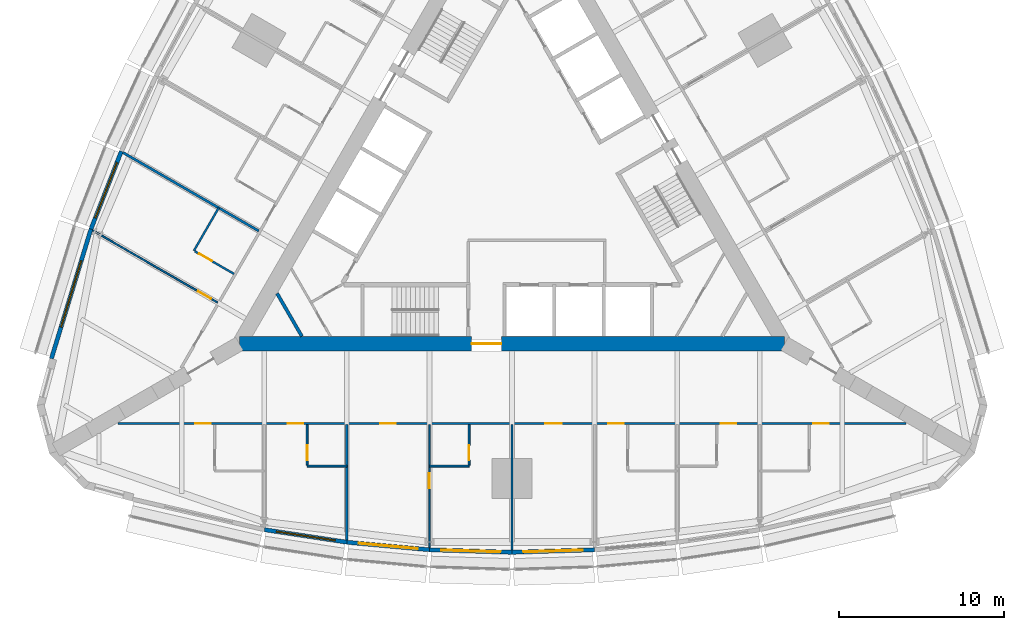
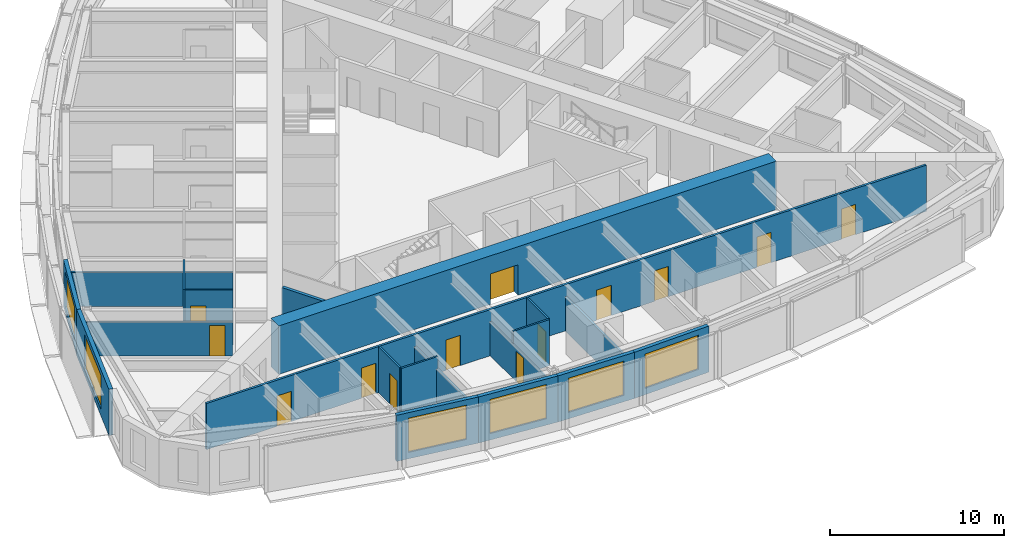
# One storey, part 8 of 14: 20 walls, 13 doors, 6 windows, 19 openings.
"""IFC4 building model written with IfcOpenShell, lengths in metres."""

from ifc_helpers import new_model, si_unit, direction, frame, frame_2d, origin, place, context, subcontext, project, spatial, rectangle, extrude, material, layer, layer_set, type_object, element, fill, save


model = new_model("IFC4")

# Units and contexts
model_context = context("Model", 3, precision=1e-05, world=origin(), true_north=direction((0.0, 1.0)))
body_context = subcontext(model_context, "Body", "Model", "MODEL_VIEW")
ifc_project = project(units=[si_unit("LENGTHUNIT", "METRE"), si_unit("AREAUNIT", "SQUARE_METRE"), si_unit("VOLUMEUNIT", "CUBIC_METRE"), si_unit("PLANEANGLEUNIT", "RADIAN"), si_unit("MASSUNIT", "GRAM", prefix="KILO")], contexts=[model_context])

# Site, building, storey
site_placement = place(None, origin())
site = spatial("IfcSite", under=ifc_project, at=site_placement, CompositionType="ELEMENT")
building_placement = place(site_placement, origin())
building = spatial("IfcBuilding", under=site, at=building_placement, Name="Trikona Tower", CompositionType="ELEMENT")
storey_placement = place(building_placement, frame((0.0, 0.0, 76.10009765625)))
storey = spatial("IfcBuildingStorey", under=building, at=storey_placement, Name="L19", CompositionType="ELEMENT", Elevation=76.10009765625)

# Wall
ifc_material_1 = material(Name="Metal stud and cement board", Category="gypsum")
ifc_layer_1 = layer(ifc_material_1, 0.1201171875)
ifc_layer_set_1 = layer_set([ifc_layer_1], Name="Bathroom wall 120")
wall_type_1 = type_object("IfcWallType", Name="Bathroom wall 120", PredefinedType="PLUMBINGWALL", material=ifc_layer_set_1)
wall_1_placement = place(storey_placement, frame((-12.39990234375, -16.92626953125, 0.0), z_axis=(0.0, 0.0, 1.0), x_axis=(1.0, 0.0, 0.0)))
element("IfcWall", 1, at=wall_1_placement, inside=storey, type_object=wall_type_1, Name="Bathroom wall 1902", PredefinedType="PLUMBINGWALL", context=body_context, shape_type="SweptSolid", body=[
    extrude(rectangle(XDim=2.39990234375, YDim=0.1201171875, at=frame_2d((1.199951171875, 0.0))), origin(), (0.0, 0.0, 1.0), 3.23486328125),
])

# Wall, opening, door
wall_2_placement = place(storey_placement, frame((-12.39990234375, -14.42626953125, 0.0), z_axis=(0.0, 0.0, 1.0), x_axis=(0.0, -1.0, 0.0)))
wall_2 = element("IfcWall", 2, at=wall_2_placement, inside=storey, type_object=wall_type_1, Name="Bathroom wall 1902", PredefinedType="PLUMBINGWALL", context=body_context, shape_type="SweptSolid", body=[
    extrude(rectangle(XDim=2.43994140625, YDim=0.1201171875, at=frame_2d((1.219970703125, 0.0))), origin(), (0.0, 0.0, 1.0), 3.23486328125),
])
opening_1_placement = place(wall_2_placement, frame((1.25, 0.0, 0.0)))
opening_1 = element("IfcOpeningElement", 3, at=opening_1_placement, cuts=wall_2, Name="Opening D2", PredefinedType="OPENING", context=body_context, shape_type="SweptSolid", body=[
    extrude(rectangle(XDim=0.89990234375, YDim=2.1298828125, at=frame_2d((0.449951171875, 1.06494140625))), frame((0.0, 0.070068359375, 0.0), z_axis=(0.0, -1.0, 0.0), x_axis=(1.0, 0.0, 0.0)), (0.0, 0.0, 1.0), 0.14013671875),
])
ifc_material_2 = material(Name="Steel door frame with solid-core timber leaf", Category="steel")
door_type_1 = type_object("IfcDoorType", Name="Bathroom door 900x2130", OperationType="SLIDING_TO_LEFT", PredefinedType="DOOR", material=ifc_material_2)
door_1_placement = place(opening_1_placement, origin())
door_1 = element("IfcDoor", 4, at=door_1_placement, inside=storey, type_object=door_type_1, Name="Bathroom door 1902", OperationType="SLIDING_TO_LEFT", OverallHeight=2.1298828125, OverallWidth=0.89990234375, PredefinedType="DOOR", context=body_context, shape_type="SweptSolid", body=[
    extrude(rectangle(XDim=0.89990234375, YDim=2.1298828125, at=frame_2d((0.449951171875, 1.06494140625))), frame((0.0, 0.02490234375, 0.0), z_axis=(0.0, -1.0, 0.0), x_axis=(1.0, 0.0, 0.0)), (0.0, 0.0, 1.0), 0.050048828125),
])
fill(opening_1, door_1)

# Wall
wall_3_placement = place(storey_placement, frame((-5.0, -16.92626953125, 0.0), z_axis=(0.0, 0.0, 1.0), x_axis=(1.0, 0.0, 0.0)))
element("IfcWall", 5, at=wall_3_placement, inside=storey, type_object=wall_type_1, Name="Bathroom wall 1903.1", PredefinedType="PLUMBINGWALL", context=body_context, shape_type="SweptSolid", body=[
    extrude(rectangle(XDim=2.39990234375, YDim=0.1201171875, at=frame_2d((1.199951171875, 0.0))), origin(), (0.0, 0.0, 1.0), 3.23486328125),
])

# Wall, opening, door
wall_4_placement = place(storey_placement, frame((-2.60009765625, -14.42626953125, 0.0), z_axis=(0.0, 0.0, 1.0), x_axis=(0.0, -1.0, 0.0)))
wall_4 = element("IfcWall", 6, at=wall_4_placement, inside=storey, type_object=wall_type_1, Name="Bathroom wall 1903.1", PredefinedType="PLUMBINGWALL", context=body_context, shape_type="SweptSolid", body=[
    extrude(rectangle(XDim=2.43994140625, YDim=0.1201171875, at=frame_2d((1.219970703125, 0.0))), origin(), (0.0, 0.0, 1.0), 3.23486328125),
])
opening_2_placement = place(wall_4_placement, frame((1.25, 0.0, 0.0)))
opening_2 = element("IfcOpeningElement", 7, at=opening_2_placement, cuts=wall_4, Name="Opening D2", PredefinedType="OPENING", context=body_context, shape_type="SweptSolid", body=[
    extrude(rectangle(XDim=0.89990234375, YDim=2.1298828125, at=frame_2d((0.449951171875, 1.06494140625))), frame((0.0, 0.070068359375, 0.0), z_axis=(0.0, -1.0, 0.0), x_axis=(1.0, 0.0, 0.0)), (0.0, 0.0, 1.0), 0.14013671875),
])
door_2_placement = place(opening_2_placement, origin())
door_2 = element("IfcDoor", 8, at=door_2_placement, inside=storey, type_object=door_type_1, Name="Bathroom door 1903.1", OperationType="SLIDING_TO_LEFT", OverallHeight=2.1298828125, OverallWidth=0.89990234375, PredefinedType="DOOR", context=body_context, shape_type="SweptSolid", body=[
    extrude(rectangle(XDim=0.89990234375, YDim=2.1298828125, at=frame_2d((0.449951171875, 1.06494140625))), frame((0.0, 0.02490234375, 0.0), z_axis=(0.0, -1.0, 0.0), x_axis=(1.0, 0.0, 0.0)), (0.0, 0.0, 1.0), 0.050048828125),
])
fill(opening_2, door_2)

# Wall
wall_5_placement = place(storey_placement, frame((-17.75341796875, -1.297119140625, 0.0), z_axis=(0.0, 0.0, 1.0), x_axis=(-0.499990139034, -0.866031096941, 0.0)))
element("IfcWall", 9, at=wall_5_placement, inside=storey, type_object=wall_type_1, Name="Bathroom wall 1916.1", PredefinedType="PLUMBINGWALL", context=body_context, shape_type="SweptSolid", body=[
    extrude(rectangle(XDim=3.0, YDim=0.1201171875, at=frame_2d((1.5, 0.0))), origin(), (0.0, 0.0, 1.0), 3.23486328125),
])

# Wall, opening, door
wall_6_placement = place(storey_placement, frame((-16.82861328125, -5.295166015625, 0.0), z_axis=(0.0, 0.0, 1.0), x_axis=(-0.866035715982, 0.499982138324, 0.0)))
wall_6 = element("IfcWall", 10, at=wall_6_placement, inside=storey, type_object=wall_type_1, Name="Bathroom wall 1916.1", PredefinedType="PLUMBINGWALL", context=body_context, shape_type="SweptSolid", body=[
    extrude(rectangle(XDim=2.73974609375, YDim=0.1201171875, at=frame_2d((1.369873046875, 0.0))), origin(), (0.0, 0.0, 1.0), 3.23486328125),
])
opening_3_placement = place(wall_6_placement, frame((1.550048828125, 0.0, 0.0)))
opening_3 = element("IfcOpeningElement", 11, at=opening_3_placement, cuts=wall_6, Name="Opening D2", PredefinedType="OPENING", context=body_context, shape_type="SweptSolid", body=[
    extrude(rectangle(XDim=0.89990234375, YDim=2.1298828125, at=frame_2d((0.449951171875, 1.06494140625))), frame((0.0, 0.070068359375, 0.0), z_axis=(0.0, -1.0, 0.0), x_axis=(1.0, 0.0, 0.0)), (0.0, 0.0, 1.0), 0.14013671875),
])
door_3_placement = place(opening_3_placement, origin())
door_3 = element("IfcDoor", 12, at=door_3_placement, inside=storey, type_object=door_type_1, Name="Bathroom door 1916.1", OperationType="SLIDING_TO_LEFT", OverallHeight=2.1298828125, OverallWidth=0.89990234375, PredefinedType="DOOR", context=body_context, shape_type="SweptSolid", body=[
    extrude(rectangle(XDim=0.89990234375, YDim=2.1298828125, at=frame_2d((0.449951171875, 1.06494140625))), frame((0.0, 0.02490234375, 0.0), z_axis=(0.0, -1.0, 0.0), x_axis=(1.0, 0.0, 0.0)), (0.0, 0.0, 1.0), 0.050048828125),
])
fill(opening_3, door_3)

ifc_material_3 = material(Name="Concrete f'c 10000 psi", Category="concrete")
ifc_layer_2 = layer(ifc_material_3, 0.89990234375)
ifc_layer_set_2 = layer_set([ifc_layer_2], Name="Core wall 900")
wall_type_2 = type_object("IfcWallType", Name="Core wall 900", PredefinedType="SHEAR", material=ifc_layer_set_2)
wall_7_placement = place(storey_placement, frame((-16.5, -9.5263671875, 0.0), z_axis=(0.0, 0.0, 1.0), x_axis=(1.0, 0.0, 0.0)))
wall_7 = element("IfcWall", 13, at=wall_7_placement, inside=storey, type_object=wall_type_2, Name="Core wall A", PredefinedType="SHEAR", context=body_context, shape_type="SweptSolid", body=[
    extrude(rectangle(XDim=33.0, YDim=0.89990234375, at=frame_2d((16.5, 0.0))), origin(), (0.0, 0.0, 1.0), 3.39990234375),
])
opening_4_placement = place(wall_7_placement, frame((14.050048828125, 0.0, 0.0)))
opening_4 = element("IfcOpeningElement", 14, at=opening_4_placement, cuts=wall_7, Name="Opening D6", PredefinedType="OPENING", context=body_context, shape_type="SweptSolid", body=[
    extrude(rectangle(XDim=1.800048828125, YDim=2.1298828125, at=frame_2d((0.89990234375, 1.06494140625))), frame((0.0, 0.4599609375, 0.0), z_axis=(0.0, -1.0, 0.0), x_axis=(1.0, 0.0, 0.0)), (0.0, 0.0, 1.0), 0.919921875),
])
ifc_material_4 = material(Name="Hollow metal door and frame", Category="steel")
door_type_2 = type_object("IfcDoorType", Name="Lobby door pair 1800x2130", OperationType="DOUBLE_DOOR_SINGLE_SWING", PredefinedType="DOOR", material=ifc_material_4)
door_4_placement = place(opening_4_placement, origin())
door_4 = element("IfcDoor", 15, at=door_4_placement, inside=storey, type_object=door_type_2, Name="Fire service lift lobby door", OperationType="DOUBLE_DOOR_SINGLE_SWING", OverallHeight=2.1298828125, OverallWidth=1.800048828125, PredefinedType="DOOR", context=body_context, shape_type="SweptSolid", body=[
    extrude(rectangle(XDim=1.800048828125, YDim=2.1298828125, at=frame_2d((0.89990234375, 1.06494140625))), frame((0.0, 0.02490234375, 0.0), z_axis=(0.0, -1.0, 0.0), x_axis=(1.0, 0.0, 0.0)), (0.0, 0.0, 1.0), 0.050048828125),
])
fill(opening_4, door_4)

# Wall, openings, doors
ifc_material_5 = material(Name="Metal stud and gypsum board, 1-hour", Category="gypsum")
ifc_layer_3 = layer(ifc_material_5, 0.14990234375)
ifc_layer_set_3 = layer_set([ifc_layer_3], Name="Corridor wall 150")
wall_type_3 = type_object("IfcWallType", Name="Corridor wall 150", PredefinedType="PARTITIONING", material=ifc_layer_set_3)
wall_8_placement = place(storey_placement, frame((-23.857177734375, -14.351318359375, 0.0), z_axis=(0.0, 0.0, 1.0), x_axis=(1.0, 0.0, 0.0)))
wall_8 = element("IfcWall", 16, at=wall_8_placement, inside=storey, type_object=wall_type_3, Name="Corridor wall L19-1", PredefinedType="PARTITIONING", context=body_context, shape_type="SweptSolid", body=[
    extrude(rectangle(XDim=47.71435546875, YDim=0.14990234375, at=frame_2d((23.857177734375, 0.0))), origin(), (0.0, 0.0, 1.0), 3.23486328125),
])
opening_5_placement = place(wall_8_placement, frame((4.68212890625, 0.0, 0.0)))
opening_5 = element("IfcOpeningElement", 17, at=opening_5_placement, cuts=wall_8, Name="Opening D1", PredefinedType="OPENING", context=body_context, shape_type="SweptSolid", body=[
    extrude(rectangle(XDim=0.949951171875, YDim=2.1298828125, at=frame_2d((0.47509765625, 1.06494140625))), frame((0.0, 0.0849609375, 0.0), z_axis=(0.0, -1.0, 0.0), x_axis=(1.0, 0.0, 0.0)), (0.0, 0.0, 1.0), 0.169921875),
])
opening_6_placement = place(wall_8_placement, frame((10.281982421875, 0.0, 0.0)))
opening_6 = element("IfcOpeningElement", 18, at=opening_6_placement, cuts=wall_8, Name="Opening D1", PredefinedType="OPENING", context=body_context, shape_type="SweptSolid", body=[
    extrude(rectangle(XDim=0.949951171875, YDim=2.1298828125, at=frame_2d((0.47509765625, 1.06494140625))), frame((0.0, 0.0849609375, 0.0), z_axis=(0.0, -1.0, 0.0), x_axis=(1.0, 0.0, 0.0)), (0.0, 0.0, 1.0), 0.169921875),
])
opening_7_placement = place(wall_8_placement, frame((15.882080078125, 0.0, 0.0)))
opening_7 = element("IfcOpeningElement", 19, at=opening_7_placement, cuts=wall_8, Name="Opening D1", PredefinedType="OPENING", context=body_context, shape_type="SweptSolid", body=[
    extrude(rectangle(XDim=0.949951171875, YDim=2.1298828125, at=frame_2d((0.47509765625, 1.06494140625))), frame((0.0, 0.0849609375, 0.0), z_axis=(0.0, -1.0, 0.0), x_axis=(1.0, 0.0, 0.0)), (0.0, 0.0, 1.0), 0.169921875),
])
opening_8_placement = place(wall_8_placement, frame((25.857177734375, 0.0, 0.0)))
opening_8 = element("IfcOpeningElement", 20, at=opening_8_placement, cuts=wall_8, Name="Opening D3", PredefinedType="OPENING", context=body_context, shape_type="SweptSolid", body=[
    extrude(rectangle(XDim=1.0, YDim=2.1298828125, at=frame_2d((0.5, 1.06494140625))), frame((0.0, 0.0849609375, 0.0), z_axis=(0.0, -1.0, 0.0), x_axis=(1.0, 0.0, 0.0)), (0.0, 0.0, 1.0), 0.169921875),
])
opening_9_placement = place(wall_8_placement, frame((29.68212890625, 0.0, 0.0)))
opening_9 = element("IfcOpeningElement", 21, at=opening_9_placement, cuts=wall_8, Name="Opening D1", PredefinedType="OPENING", context=body_context, shape_type="SweptSolid", body=[
    extrude(rectangle(XDim=0.949951171875, YDim=2.1298828125, at=frame_2d((0.47509765625, 1.06494140625))), frame((0.0, 0.0849609375, 0.0), z_axis=(0.0, -1.0, 0.0), x_axis=(1.0, 0.0, 0.0)), (0.0, 0.0, 1.0), 0.169921875),
])
opening_10_placement = place(wall_8_placement, frame((36.482177734375, 0.0, 0.0)))
opening_10 = element("IfcOpeningElement", 22, at=opening_10_placement, cuts=wall_8, Name="Opening D1", PredefinedType="OPENING", context=body_context, shape_type="SweptSolid", body=[
    extrude(rectangle(XDim=0.949951171875, YDim=2.1298828125, at=frame_2d((0.47509765625, 1.06494140625))), frame((0.0, 0.0849609375, 0.0), z_axis=(0.0, -1.0, 0.0), x_axis=(1.0, 0.0, 0.0)), (0.0, 0.0, 1.0), 0.169921875),
])
opening_11_placement = place(wall_8_placement, frame((42.08203125, 0.0, 0.0)))
opening_11 = element("IfcOpeningElement", 23, at=opening_11_placement, cuts=wall_8, Name="Opening D1", PredefinedType="OPENING", context=body_context, shape_type="SweptSolid", body=[
    extrude(rectangle(XDim=0.949951171875, YDim=2.1298828125, at=frame_2d((0.47509765625, 1.06494140625))), frame((0.0, 0.0849609375, 0.0), z_axis=(0.0, -1.0, 0.0), x_axis=(1.0, 0.0, 0.0)), (0.0, 0.0, 1.0), 0.169921875),
])
ifc_material_6 = material(Name="Steel door frame with solid-core timber leaf", Category="steel")
door_type_3 = type_object("IfcDoorType", Name="Guest room door 950x2130", OperationType="SINGLE_SWING_LEFT", PredefinedType="DOOR", material=ifc_material_6)
door_5_placement = place(opening_5_placement, origin())
door_5 = element("IfcDoor", 24, at=door_5_placement, inside=storey, type_object=door_type_3, Name="Room door 1901", OperationType="SINGLE_SWING_LEFT", OverallHeight=2.1298828125, OverallWidth=0.949951171875, PredefinedType="DOOR", context=body_context, shape_type="SweptSolid", body=[
    extrude(rectangle(XDim=0.949951171875, YDim=2.1298828125, at=frame_2d((0.47509765625, 1.06494140625))), frame((0.0, 0.02490234375, 0.0), z_axis=(0.0, -1.0, 0.0), x_axis=(1.0, 0.0, 0.0)), (0.0, 0.0, 1.0), 0.050048828125),
])
fill(opening_5, door_5)
door_6_placement = place(opening_6_placement, origin())
door_6 = element("IfcDoor", 25, at=door_6_placement, inside=storey, type_object=door_type_3, Name="Room door 1902", OperationType="SINGLE_SWING_RIGHT", OverallHeight=2.1298828125, OverallWidth=0.949951171875, PredefinedType="DOOR", context=body_context, shape_type="SweptSolid", body=[
    extrude(rectangle(XDim=0.949951171875, YDim=2.1298828125, at=frame_2d((0.47509765625, 1.06494140625))), frame((0.0, 0.02490234375, 0.0), z_axis=(0.0, -1.0, 0.0), x_axis=(1.0, 0.0, 0.0)), (0.0, 0.0, 1.0), 0.050048828125),
])
fill(opening_6, door_6)
door_7_placement = place(opening_7_placement, origin())
door_7 = element("IfcDoor", 26, at=door_7_placement, inside=storey, type_object=door_type_3, Name="Room door 1903", OperationType="SINGLE_SWING_LEFT", OverallHeight=2.1298828125, OverallWidth=0.949951171875, PredefinedType="DOOR", context=body_context, shape_type="SweptSolid", body=[
    extrude(rectangle(XDim=0.949951171875, YDim=2.1298828125, at=frame_2d((0.47509765625, 1.06494140625))), frame((0.0, 0.02490234375, 0.0), z_axis=(0.0, -1.0, 0.0), x_axis=(1.0, 0.0, 0.0)), (0.0, 0.0, 1.0), 0.050048828125),
])
fill(opening_7, door_7)
door_8_placement = place(opening_9_placement, origin())
door_8 = element("IfcDoor", 27, at=door_8_placement, inside=storey, type_object=door_type_3, Name="Room door 1904", OperationType="SINGLE_SWING_LEFT", OverallHeight=2.1298828125, OverallWidth=0.949951171875, PredefinedType="DOOR", context=body_context, shape_type="SweptSolid", body=[
    extrude(rectangle(XDim=0.949951171875, YDim=2.1298828125, at=frame_2d((0.47509765625, 1.06494140625))), frame((0.0, 0.02490234375, 0.0), z_axis=(0.0, -1.0, 0.0), x_axis=(1.0, 0.0, 0.0)), (0.0, 0.0, 1.0), 0.050048828125),
])
fill(opening_9, door_8)
door_9_placement = place(opening_10_placement, origin())
door_9 = element("IfcDoor", 28, at=door_9_placement, inside=storey, type_object=door_type_3, Name="Room door 1905", OperationType="SINGLE_SWING_RIGHT", OverallHeight=2.1298828125, OverallWidth=0.949951171875, PredefinedType="DOOR", context=body_context, shape_type="SweptSolid", body=[
    extrude(rectangle(XDim=0.949951171875, YDim=2.1298828125, at=frame_2d((0.47509765625, 1.06494140625))), frame((0.0, 0.02490234375, 0.0), z_axis=(0.0, -1.0, 0.0), x_axis=(1.0, 0.0, 0.0)), (0.0, 0.0, 1.0), 0.050048828125),
])
fill(opening_10, door_9)
door_10_placement = place(opening_11_placement, origin())
door_10 = element("IfcDoor", 29, at=door_10_placement, inside=storey, type_object=door_type_3, Name="Room door 1906", OperationType="SINGLE_SWING_LEFT", OverallHeight=2.1298828125, OverallWidth=0.949951171875, PredefinedType="DOOR", context=body_context, shape_type="SweptSolid", body=[
    extrude(rectangle(XDim=0.949951171875, YDim=2.1298828125, at=frame_2d((0.47509765625, 1.06494140625))), frame((0.0, 0.02490234375, 0.0), z_axis=(0.0, -1.0, 0.0), x_axis=(1.0, 0.0, 0.0)), (0.0, 0.0, 1.0), 0.050048828125),
])
fill(opening_11, door_10)
ifc_material_7 = material(Name="Steel door frame with solid-core timber leaf", Category="steel")
door_type_4 = type_object("IfcDoorType", Name="Room door 1000x2130", OperationType="SINGLE_SWING_LEFT", PredefinedType="DOOR", material=ifc_material_7)
door_11_placement = place(opening_8_placement, origin())
door_11 = element("IfcDoor", 30, at=door_11_placement, inside=storey, type_object=door_type_4, Name="Door Housekeeping pantry", OperationType="SINGLE_SWING_RIGHT", OverallHeight=2.1298828125, OverallWidth=1.0, PredefinedType="DOOR", context=body_context, shape_type="SweptSolid", body=[
    extrude(rectangle(XDim=1.0, YDim=2.1298828125, at=frame_2d((0.5, 1.06494140625))), frame((0.0, 0.02490234375, 0.0), z_axis=(0.0, -1.0, 0.0), x_axis=(1.0, 0.0, 0.0)), (0.0, 0.0, 1.0), 0.050048828125),
])
fill(opening_8, door_11)

# Wall, opening, window
ifc_material_8 = material(Name="Insulated precast concrete spandrel panel", Category="concrete")
ifc_layer_4 = layer(ifc_material_8, 0.25)
ifc_layer_set_4 = layer_set([ifc_layer_4], Name="Inner skin wall 250")
wall_type_4 = type_object("IfcWallType", Name="Inner skin wall 250", PredefinedType="STANDARD", material=ifc_layer_set_4)
wall_9_placement = place(storey_placement, frame((-14.981201171875, -20.779296875, 0.0), z_axis=(0.0, 0.0, 1.0), x_axis=(0.988615403399, -0.150464561152, 0.0)))
wall_9 = element("IfcWall", 31, at=wall_9_placement, inside=storey, type_object=wall_type_4, Name="External wall L19-01", PredefinedType="STANDARD", context=body_context, shape_type="SweptSolid", body=[
    extrude(rectangle(XDim=5.0576171875, YDim=0.25, at=frame_2d((2.52880859375, 0.0))), origin(), (0.0, 0.0, 1.0), 3.23486328125),
])
opening_12_placement = place(wall_9_placement, frame((0.728759765625, 0.0, 0.449951171875)))
opening_12 = element("IfcOpeningElement", 32, at=opening_12_placement, cuts=wall_9, Name="Opening W3624", PredefinedType="OPENING", context=body_context, shape_type="SweptSolid", body=[
    extrude(rectangle(XDim=3.60009765625, YDim=2.39990234375, at=frame_2d((1.800048828125, 1.199951171875))), frame((0.0, 0.135009765625, 0.0), z_axis=(0.0, -1.0, 0.0), x_axis=(1.0, 0.0, 0.0)), (0.0, 0.0, 1.0), 0.27001953125),
])
ifc_material_9 = material(Name="Aluminium-framed double glazing", Category="aluminium")
window_type_1 = type_object("IfcWindowType", Name="Window 3600x2400", PartitioningType="SINGLE_PANEL", PredefinedType="WINDOW", material=ifc_material_9)
window_1_placement = place(opening_12_placement, origin())
window_1 = element("IfcWindow", 33, at=window_1_placement, inside=storey, type_object=window_type_1, Name="Window 1902", OverallHeight=2.39990234375, OverallWidth=3.60009765625, PartitioningType="SINGLE_PANEL", PredefinedType="WINDOW", context=body_context, shape_type="SweptSolid", body=[
    extrude(rectangle(XDim=3.60009765625, YDim=2.39990234375, at=frame_2d((1.800048828125, 1.199951171875))), frame((0.0, 0.030029296875, 0.0), z_axis=(0.0, -1.0, 0.0), x_axis=(1.0, 0.0, 0.0)), (0.0, 0.0, 1.0), 0.06005859375),
])
fill(opening_12, window_1)

wall_10_placement = place(storey_placement, frame((-9.988525390625, -21.539306640625, 0.0), z_axis=(0.0, 0.0, 1.0), x_axis=(0.995857256774, -0.090930325692, 0.0)))
wall_10 = element("IfcWall", 34, at=wall_10_placement, inside=storey, type_object=wall_type_4, Name="External wall L19-02", PredefinedType="STANDARD", context=body_context, shape_type="SweptSolid", body=[
    extrude(rectangle(XDim=5.020751953125, YDim=0.25, at=frame_2d((2.51025390625, 0.0))), origin(), (0.0, 0.0, 1.0), 3.23486328125),
])
opening_13_placement = place(wall_10_placement, frame((0.71044921875, 0.0, 0.449951171875)))
opening_13 = element("IfcOpeningElement", 35, at=opening_13_placement, cuts=wall_10, Name="Opening W3624", PredefinedType="OPENING", context=body_context, shape_type="SweptSolid", body=[
    extrude(rectangle(XDim=3.60009765625, YDim=2.39990234375, at=frame_2d((1.800048828125, 1.199951171875))), frame((0.0, 0.135009765625, 0.0), z_axis=(0.0, -1.0, 0.0), x_axis=(1.0, 0.0, 0.0)), (0.0, 0.0, 1.0), 0.27001953125),
])
window_2_placement = place(opening_13_placement, origin())
window_2 = element("IfcWindow", 36, at=window_2_placement, inside=storey, type_object=window_type_1, Name="Window 1903", OverallHeight=2.39990234375, OverallWidth=3.60009765625, PartitioningType="SINGLE_PANEL", PredefinedType="WINDOW", context=body_context, shape_type="SweptSolid", body=[
    extrude(rectangle(XDim=3.60009765625, YDim=2.39990234375, at=frame_2d((1.800048828125, 1.199951171875))), frame((0.0, 0.030029296875, 0.0), z_axis=(0.0, -1.0, 0.0), x_axis=(1.0, 0.0, 0.0)), (0.0, 0.0, 1.0), 0.06005859375),
])
fill(opening_13, window_2)

wall_11_placement = place(storey_placement, frame((-4.99609375, -21.99560546875, 0.0), z_axis=(0.0, 0.0, 1.0), x_axis=(0.999537635046, -0.030405856769, 0.0)))
wall_11 = element("IfcWall", 37, at=wall_11_placement, inside=storey, type_object=wall_type_4, Name="External wall L19-03", PredefinedType="STANDARD", context=body_context, shape_type="SweptSolid", body=[
    extrude(rectangle(XDim=5.002197265625, YDim=0.25, at=frame_2d((2.5009765625, 0.0))), origin(), (0.0, 0.0, 1.0), 3.23486328125),
])
opening_14_placement = place(wall_11_placement, frame((0.701171875, 0.0, 0.449951171875)))
opening_14 = element("IfcOpeningElement", 38, at=opening_14_placement, cuts=wall_11, Name="Opening W3624", PredefinedType="OPENING", context=body_context, shape_type="SweptSolid", body=[
    extrude(rectangle(XDim=3.60009765625, YDim=2.39990234375, at=frame_2d((1.800048828125, 1.199951171875))), frame((0.0, 0.135009765625, 0.0), z_axis=(0.0, -1.0, 0.0), x_axis=(1.0, 0.0, 0.0)), (0.0, 0.0, 1.0), 0.27001953125),
])
window_3_placement = place(opening_14_placement, origin())
window_3 = element("IfcWindow", 39, at=window_3_placement, inside=storey, type_object=window_type_1, Name="Window 1903.1", OverallHeight=2.39990234375, OverallWidth=3.60009765625, PartitioningType="SINGLE_PANEL", PredefinedType="WINDOW", context=body_context, shape_type="SweptSolid", body=[
    extrude(rectangle(XDim=3.60009765625, YDim=2.39990234375, at=frame_2d((1.800048828125, 1.199951171875))), frame((0.0, 0.030029296875, 0.0), z_axis=(0.0, -1.0, 0.0), x_axis=(1.0, 0.0, 0.0)), (0.0, 0.0, 1.0), 0.06005859375),
])
fill(opening_14, window_3)

wall_12_placement = place(storey_placement, frame((-0.00390625, -22.147705078125, 0.0), z_axis=(0.0, 0.0, 1.0), x_axis=(0.999537635046, 0.030405856769, 0.0)))
wall_12 = element("IfcWall", 40, at=wall_12_placement, inside=storey, type_object=wall_type_4, Name="External wall L19-04", PredefinedType="STANDARD", context=body_context, shape_type="SweptSolid", body=[
    extrude(rectangle(XDim=5.002197265625, YDim=0.25, at=frame_2d((2.5009765625, 0.0))), origin(), (0.0, 0.0, 1.0), 3.23486328125),
])
opening_15_placement = place(wall_12_placement, frame((0.701171875, 0.0, 0.449951171875)))
opening_15 = element("IfcOpeningElement", 41, at=opening_15_placement, cuts=wall_12, Name="Opening W3624", PredefinedType="OPENING", context=body_context, shape_type="SweptSolid", body=[
    extrude(rectangle(XDim=3.60009765625, YDim=2.39990234375, at=frame_2d((1.800048828125, 1.199951171875))), frame((0.0, 0.135009765625, 0.0), z_axis=(0.0, -1.0, 0.0), x_axis=(1.0, 0.0, 0.0)), (0.0, 0.0, 1.0), 0.27001953125),
])
window_4_placement = place(opening_15_placement, origin())
window_4 = element("IfcWindow", 42, at=window_4_placement, inside=storey, type_object=window_type_1, Name="Window L19-HKP", OverallHeight=2.39990234375, OverallWidth=3.60009765625, PartitioningType="SINGLE_PANEL", PredefinedType="WINDOW", context=body_context, shape_type="SweptSolid", body=[
    extrude(rectangle(XDim=3.60009765625, YDim=2.39990234375, at=frame_2d((1.800048828125, 1.199951171875))), frame((0.0, 0.030029296875, 0.0), z_axis=(0.0, -1.0, 0.0), x_axis=(1.0, 0.0, 0.0)), (0.0, 0.0, 1.0), 0.06005859375),
])
fill(opening_15, window_4)

wall_13_placement = place(storey_placement, frame((-23.64501953125, 2.126220703125, 0.0), z_axis=(0.0, 0.0, 1.0), x_axis=(-0.364013463868, -0.931393685894, 0.0)))
wall_13 = element("IfcWall", 43, at=wall_13_placement, inside=storey, type_object=wall_type_4, Name="External wall L19-30", PredefinedType="STANDARD", context=body_context, shape_type="SweptSolid", body=[
    extrude(rectangle(XDim=5.0576171875, YDim=0.25, at=frame_2d((2.52880859375, 0.0))), origin(), (0.0, 0.0, 1.0), 3.23486328125),
])
opening_16_placement = place(wall_13_placement, frame((0.728759765625, 0.0, 0.449951171875)))
opening_16 = element("IfcOpeningElement", 44, at=opening_16_placement, cuts=wall_13, Name="Opening W3624", PredefinedType="OPENING", context=body_context, shape_type="SweptSolid", body=[
    extrude(rectangle(XDim=3.60009765625, YDim=2.39990234375, at=frame_2d((1.800048828125, 1.199951171875))), frame((0.0, 0.135009765625, 0.0), z_axis=(0.0, -1.0, 0.0), x_axis=(1.0, 0.0, 0.0)), (0.0, 0.0, 1.0), 0.27001953125),
])
window_5_placement = place(opening_16_placement, origin())
window_5 = element("IfcWindow", 45, at=window_5_placement, inside=storey, type_object=window_type_1, Name="Window 1916.1", OverallHeight=2.39990234375, OverallWidth=3.60009765625, PartitioningType="SINGLE_PANEL", PredefinedType="WINDOW", context=body_context, shape_type="SweptSolid", body=[
    extrude(rectangle(XDim=3.60009765625, YDim=2.39990234375, at=frame_2d((1.800048828125, 1.199951171875))), frame((0.0, 0.030029296875, 0.0), z_axis=(0.0, -1.0, 0.0), x_axis=(1.0, 0.0, 0.0)), (0.0, 0.0, 1.0), 0.06005859375),
])
fill(opening_16, window_5)

wall_14_placement = place(storey_placement, frame((-25.48291015625, -2.575439453125, 0.0), z_axis=(0.0, 0.0, 1.0), x_axis=(-0.2919790669, -0.956424709265, 0.0)))
wall_14 = element("IfcWall", 46, at=wall_14_placement, inside=storey, type_object=wall_type_4, Name="External wall L19-31", PredefinedType="STANDARD", context=body_context, shape_type="SweptSolid", body=[
    extrude(rectangle(XDim=8.211181640625, YDim=0.25, at=frame_2d((4.10546875, 0.0))), origin(), (0.0, 0.0, 1.0), 3.23486328125),
])
opening_17_placement = place(wall_14_placement, frame((2.005615234375, 0.0, 0.449951171875)))
opening_17 = element("IfcOpeningElement", 47, at=opening_17_placement, cuts=wall_14, Name="Opening W4224", PredefinedType="OPENING", context=body_context, shape_type="SweptSolid", body=[
    extrude(rectangle(XDim=4.199951171875, YDim=2.39990234375, at=frame_2d((2.10009765625, 1.199951171875))), frame((0.0, 0.135009765625, 0.0), z_axis=(0.0, -1.0, 0.0), x_axis=(1.0, 0.0, 0.0)), (0.0, 0.0, 1.0), 0.27001953125),
])
ifc_material_10 = material(Name="Aluminium-framed double glazing", Category="aluminium")
window_type_2 = type_object("IfcWindowType", Name="Window 4200x2400", PartitioningType="SINGLE_PANEL", PredefinedType="WINDOW", material=ifc_material_10)
window_6_placement = place(opening_17_placement, origin())
window_6 = element("IfcWindow", 48, at=window_6_placement, inside=storey, type_object=window_type_2, Name="Window 1916", OverallHeight=2.39990234375, OverallWidth=4.199951171875, PartitioningType="SINGLE_PANEL", PredefinedType="WINDOW", context=body_context, shape_type="SweptSolid", body=[
    extrude(rectangle(XDim=4.199951171875, YDim=2.39990234375, at=frame_2d((2.10009765625, 1.199951171875))), frame((0.0, 0.030029296875, 0.0), z_axis=(0.0, -1.0, 0.0), x_axis=(1.0, 0.0, 0.0)), (0.0, 0.0, 1.0), 0.06005859375),
])
fill(opening_17, window_6)

# Walls
ifc_material_11 = material(Name="Metal stud and gypsum board, 1-hour acoustic", Category="gypsum")
ifc_layer_5 = layer(ifc_material_11, 0.14990234375)
ifc_layer_set_5 = layer_set([ifc_layer_5], Name="Party wall 150")
wall_type_5 = type_object("IfcWallType", Name="Party wall 150", PredefinedType="PARTITIONING", material=ifc_layer_set_5)
wall_15_placement = place(storey_placement, frame((-10.0, -14.42626953125, 0.0), z_axis=(0.0, 0.0, 1.0), x_axis=(0.0, -1.0, 0.0)))
element("IfcWall", 49, at=wall_15_placement, inside=storey, type_object=wall_type_5, Name="Partition L19 F1 u-10", PredefinedType="PARTITIONING", context=body_context, shape_type="SweptSolid", body=[
    extrude(rectangle(XDim=6.984619140625, YDim=0.14990234375, at=frame_2d((3.4921875, 0.0))), origin(), (0.0, 0.0, 1.0), 2.38916015625),
])
wall_16_placement = place(storey_placement, frame((0.0, -14.42626953125, 0.0), z_axis=(0.0, 0.0, 1.0), x_axis=(0.0, -1.0, 0.0)))
element("IfcWall", 50, at=wall_16_placement, inside=storey, type_object=wall_type_5, Name="Partition L19 F1 u-1.03538e-30", PredefinedType="PARTITIONING", context=body_context, shape_type="SweptSolid", body=[
    extrude(rectangle(XDim=7.59619140625, YDim=0.14990234375, at=frame_2d((3.798095703125, 0.0))), origin(), (0.0, 0.0, 1.0), 2.38916015625),
])
wall_17_placement = place(storey_placement, frame((-15.32861328125, -2.697021484375, 0.0), z_axis=(0.0, 0.0, 1.0), x_axis=(-0.866018409083, 0.500012114982, 0.0)))
element("IfcWall", 51, at=wall_17_placement, inside=storey, type_object=wall_type_5, Name="Partition L19 F3 u10", PredefinedType="PARTITIONING", context=body_context, shape_type="SweptSolid", body=[
    extrude(rectangle(XDim=9.484619140625, YDim=0.14990234375, at=frame_2d((4.7421875, 0.0))), origin(), (0.0, 0.0, 1.0), 2.38916015625),
])
ifc_material_12 = material(Name="Concrete f'c 8000 psi", Category="concrete")
ifc_layer_6 = layer(ifc_material_12, 0.199951171875)
ifc_layer_set_6 = layer_set([ifc_layer_6], Name="Shaft wall 200")
wall_type_6 = type_object("IfcWallType", Name="Shaft wall 200", PredefinedType="SOLIDWALL", material=ifc_layer_set_6)
wall_18_placement = place(storey_placement, frame((-12.718505859375, -9.076416015625, 0.0), z_axis=(0.0, 0.0, 1.0), x_axis=(-0.499952404951, 0.866052881055, 0.0)))
element("IfcWall", 52, at=wall_18_placement, inside=storey, type_object=wall_type_6, Name="Riser wall L19-RS3", PredefinedType="SOLIDWALL", context=body_context, shape_type="SweptSolid", body=[
    extrude(rectangle(XDim=3.002197265625, YDim=0.199951171875, at=frame_2d((1.5009765625, 0.0))), origin(), (0.0, 0.0, 1.0), 3.23486328125),
])

# Wall, opening, door
ifc_material_13 = material(Name="Metal stud and gypsum board, acoustic", Category="gypsum")
ifc_layer_7 = layer(ifc_material_13, 0.10009765625)
ifc_layer_set_7 = layer_set([ifc_layer_7], Name="Suite partition 100")
wall_type_7 = type_object("IfcWallType", Name="Suite partition 100", PredefinedType="PARTITIONING", material=ifc_layer_set_7)
wall_19_placement = place(storey_placement, frame((-5.0, -14.42626953125, 0.0), z_axis=(0.0, 0.0, 1.0), x_axis=(0.0, -1.0, 0.0)))
wall_19 = element("IfcWall", 53, at=wall_19_placement, inside=storey, type_object=wall_type_7, Name="Suite partition L19 F1 u-5", PredefinedType="PARTITIONING", context=body_context, shape_type="SweptSolid", body=[
    extrude(rectangle(XDim=7.443115234375, YDim=0.10009765625, at=frame_2d((3.7216796875, 0.0))), origin(), (0.0, 0.0, 1.0), 2.38916015625),
])
opening_18_placement = place(wall_19_placement, frame((2.949951171875, 0.0, 0.0)))
opening_18 = element("IfcOpeningElement", 54, at=opening_18_placement, cuts=wall_19, Name="Opening D13", PredefinedType="OPENING", context=body_context, shape_type="SweptSolid", body=[
    extrude(rectangle(XDim=0.89990234375, YDim=2.1298828125, at=frame_2d((0.449951171875, 1.06494140625))), frame((0.0, 0.06005859375, 0.0), z_axis=(0.0, -1.0, 0.0), x_axis=(1.0, 0.0, 0.0)), (0.0, 0.0, 1.0), 0.1201171875),
])
ifc_material_14 = material(Name="Steel door frame with solid-core timber leaf", Category="steel")
door_type_5 = type_object("IfcDoorType", Name="Suite door 900x2130", OperationType="SINGLE_SWING_LEFT", PredefinedType="DOOR", material=ifc_material_14)
door_12_placement = place(opening_18_placement, origin())
door_12 = element("IfcDoor", 55, at=door_12_placement, inside=storey, type_object=door_type_5, Name="Suite door 1903", OperationType="SINGLE_SWING_LEFT", OverallHeight=2.1298828125, OverallWidth=0.89990234375, PredefinedType="DOOR", context=body_context, shape_type="SweptSolid", body=[
    extrude(rectangle(XDim=0.89990234375, YDim=2.1298828125, at=frame_2d((0.449951171875, 1.06494140625))), frame((0.0, 0.02490234375, 0.0), z_axis=(0.0, -1.0, 0.0), x_axis=(1.0, 0.0, 0.0)), (0.0, 0.0, 1.0), 0.050048828125),
])
fill(opening_18, door_12)

wall_20_placement = place(storey_placement, frame((-17.82861328125, -7.027099609375, 0.0), z_axis=(0.0, 0.0, 1.0), x_axis=(-0.866032659912, 0.499987431809, 0.0)))
wall_20 = element("IfcWall", 56, at=wall_20_placement, inside=storey, type_object=wall_type_7, Name="Suite partition L19 F3 u15", PredefinedType="PARTITIONING", context=body_context, shape_type="SweptSolid", body=[
    extrude(rectangle(XDim=8.719970703125, YDim=0.10009765625, at=frame_2d((4.35986328125, 0.0))), origin(), (0.0, 0.0, 1.0), 2.38916015625),
])
opening_19_placement = place(wall_20_placement, frame((0.449951171875, 0.0, 0.0)))
opening_19 = element("IfcOpeningElement", 57, at=opening_19_placement, cuts=wall_20, Name="Opening D13", PredefinedType="OPENING", context=body_context, shape_type="SweptSolid", body=[
    extrude(rectangle(XDim=0.89990234375, YDim=2.1298828125, at=frame_2d((0.449951171875, 1.06494140625))), frame((0.0, 0.06005859375, 0.0), z_axis=(0.0, -1.0, 0.0), x_axis=(1.0, 0.0, 0.0)), (0.0, 0.0, 1.0), 0.1201171875),
])
door_13_placement = place(opening_19_placement, origin())
door_13 = element("IfcDoor", 58, at=door_13_placement, inside=storey, type_object=door_type_5, Name="Suite door 1916", OperationType="SINGLE_SWING_LEFT", OverallHeight=2.1298828125, OverallWidth=0.89990234375, PredefinedType="DOOR", context=body_context, shape_type="SweptSolid", body=[
    extrude(rectangle(XDim=0.89990234375, YDim=2.1298828125, at=frame_2d((0.449951171875, 1.06494140625))), frame((0.0, 0.02490234375, 0.0), z_axis=(0.0, -1.0, 0.0), x_axis=(1.0, 0.0, 0.0)), (0.0, 0.0, 1.0), 0.050048828125),
])
fill(opening_19, door_13)

save(model, "model.ifc")
